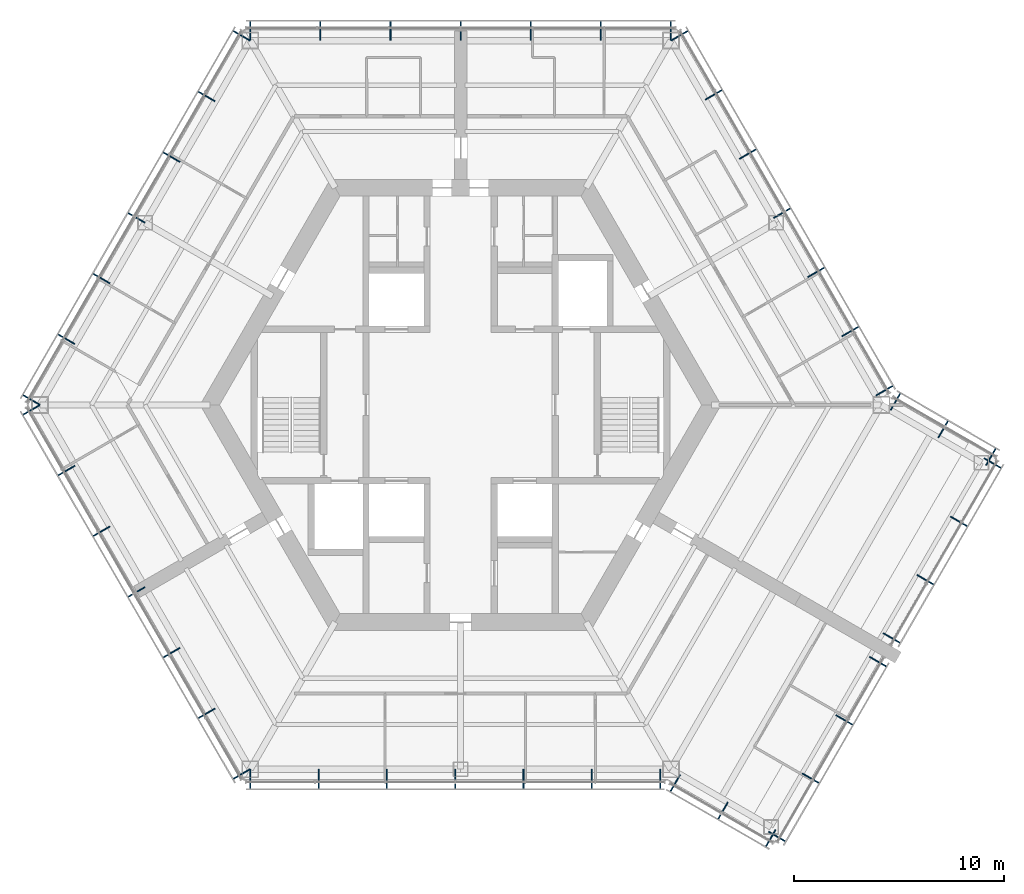
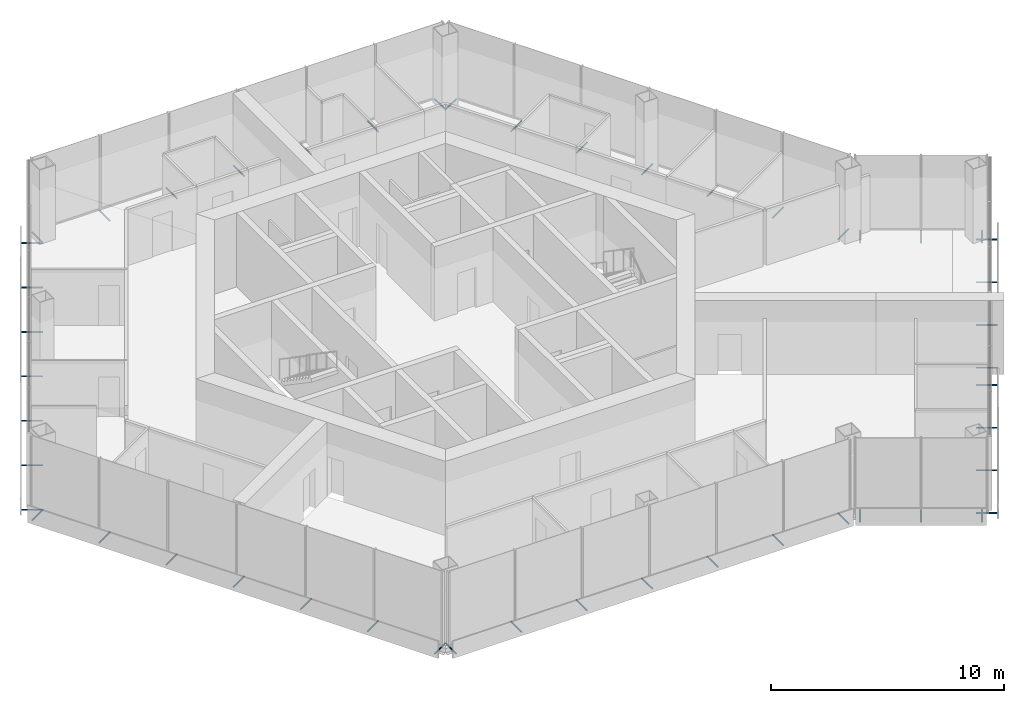
# One storey, part 11 of 13: 49 discrete accessories.
"""IFC4 building model written with IfcOpenShell, lengths in metres."""

from ifc_helpers import new_model, si_unit, direction, frame, origin, origin_2d, place, context, subcontext, project, spatial, hollow_circle, extrude, material, material_profile, profile_set, type_object, element, save


model = new_model("IFC4")

# Units and contexts
model_context = context("Model", 3, precision=1e-05, world=origin(), true_north=direction((0.0, 1.0)))
body_context = subcontext(model_context, "Body", "Model", "MODEL_VIEW")
ifc_project = project(units=[si_unit("LENGTHUNIT", "METRE"), si_unit("AREAUNIT", "SQUARE_METRE"), si_unit("VOLUMEUNIT", "CUBIC_METRE"), si_unit("PLANEANGLEUNIT", "RADIAN"), si_unit("MASSUNIT", "GRAM", prefix="KILO")], contexts=[model_context])

# Site, building, storey
site_placement = place(None, origin())
site = spatial("IfcSite", under=ifc_project, at=site_placement, CompositionType="ELEMENT")
building_placement = place(site_placement, origin())
building = spatial("IfcBuilding", under=site, at=building_placement, Name="Kasaneha Research Tower", CompositionType="ELEMENT")
storey_placement = place(building_placement, frame((0.0, 0.0, 271.300048828125)))
storey = spatial("IfcBuildingStorey", under=building, at=storey_placement, Name="L68", CompositionType="ELEMENT", Elevation=271.300048828125)

# Discrete accessories
ifc_material = material(Name="Steel STK400", Category="steel")
ifc_material_profile = material_profile(ifc_material, hollow_circle(Radius=0.0380859375, WallThickness=0.00390625, at=origin_2d()), Name="CHS-76.3x4.0")
ifc_profile_set = profile_set([ifc_material_profile], Name="Steel STK400")
discrete_accessory_type = type_object("IfcDiscreteAccessoryType", Name="Screen bracket CHS-76.3x4.0", PredefinedType="BRACKET", material=ifc_profile_set)
for number, where, z_axis, x_axis, name in (
    (1, (19.74462890625, 0.4423828125, -0.300048828125), (0.866013213425, 0.500021113727, 0.0), (-0.500021113727, 0.866013213425, 0.0), "Screen bracket 1"),
    (2, (18.120849609375, 3.2548828125, -0.300048828125), (0.866013213425, 0.500021113727, 0.0), (-0.500021113727, 0.866013213425, 0.0), "Screen bracket 2"),
    (3, (16.4970703125, 6.0673828125, -0.300048828125), (0.866013213425, 0.500021113727, 0.0), (-0.500021113727, 0.866013213425, 0.0), "Screen bracket 3"),
    (4, (14.873291015625, 8.8798828125, -0.300048828125), (0.866013213425, 0.500021113727, 0.0), (-0.500021113727, 0.866013213425, 0.0), "Screen bracket 4"),
    (5, (13.24951171875, 11.6923828125, -0.300048828125), (0.866013213425, 0.500021113727, 0.0), (-0.500021113727, 0.866013213425, 0.0), "Screen bracket 5"),
):
    element("IfcDiscreteAccessory", number, at=place(storey_placement, frame(where, z_axis=z_axis, x_axis=x_axis)), inside=storey, type_object=discrete_accessory_type, Name=name, PredefinedType="BRACKET", context=body_context, shape_type="SweptSolid", body=[
        extrude(hollow_circle(Radius=0.0380859375, WallThickness=0.00390625, at=origin_2d()), origin(), (0.0, 0.0, 1.0), 0.919921875),
    ])
for number, where, z_axis, x_axis, name in (
    (6, (11.62548828125, 14.5048828125, -0.300048828125), (0.866079547155, 0.499906209203, 0.0), (-0.499906209203, 0.866079547155, 0.0), "Screen bracket 6"),
    (7, (10.001708984375, 17.3173828125, -0.300048828125), (0.866079547155, 0.499906209203, 0.0), (-0.499906209203, 0.866079547155, 0.0), "Screen bracket 7"),
):
    element("IfcDiscreteAccessory", number, at=place(storey_placement, frame(where, z_axis=z_axis, x_axis=x_axis)), inside=storey, type_object=discrete_accessory_type, Name=name, PredefinedType="BRACKET", context=body_context, shape_type="SweptSolid", body=[
        extrude(hollow_circle(Radius=0.0380859375, WallThickness=0.00390625, at=origin_2d()), origin(), (0.0, 0.0, 1.0), 0.920166015625),
    ])
for number, where, z_axis, x_axis, name in (
    (8, (9.996337890625, 17.320556640625, -0.300048828125), (0.0, 1.0, 0.0), (-1.0, 0.0, 0.0), "Screen bracket 1"),
    (9, (6.664306640625, 17.320556640625, -0.300048828125), (0.0, 1.0, 0.0), (-1.0, 0.0, 0.0), "Screen bracket 2"),
    (10, (3.33203125, 17.320556640625, -0.300048828125), (0.0, 1.0, 0.0), (-1.0, 0.0, 0.0), "Screen bracket 3"),
    (11, (0.0, 17.320556640625, -0.300048828125), (0.0, 1.0, 0.0), (-1.0, 0.0, 0.0), "Screen bracket 4"),
    (12, (-3.33203125, 17.320556640625, -0.300048828125), (0.0, 1.0, 0.0), (-1.0, 0.0, 0.0), "Screen bracket 5"),
    (13, (-6.664306640625, 17.320556640625, -0.300048828125), (0.0, 1.0, 0.0), (-1.0, 0.0, 0.0), "Screen bracket 6"),
    (14, (-9.996337890625, 17.320556640625, -0.300048828125), (0.0, 1.0, 0.0), (-1.0, 0.0, 0.0), "Screen bracket 7"),
):
    element("IfcDiscreteAccessory", number, at=place(storey_placement, frame(where, z_axis=z_axis, x_axis=x_axis)), inside=storey, type_object=discrete_accessory_type, Name=name, PredefinedType="BRACKET", context=body_context, shape_type="SweptSolid", body=[
        extrude(hollow_circle(Radius=0.0380859375, WallThickness=0.00390625, at=origin_2d()), origin(), (0.0, 0.0, 1.0), 0.919921875),
    ])
discrete_accessory_1_placement = place(storey_placement, frame((-10.001708984375, 17.3173828125, -0.300048828125), z_axis=(-0.866079547155, 0.499906209203, 0.0), x_axis=(-0.499906209203, -0.866079547155, 0.0)))
element("IfcDiscreteAccessory", 15, at=discrete_accessory_1_placement, inside=storey, type_object=discrete_accessory_type, Name="Screen bracket 1", PredefinedType="BRACKET", context=body_context, shape_type="SweptSolid", body=[
    extrude(hollow_circle(Radius=0.0380859375, WallThickness=0.00390625, at=origin_2d()), origin(), (0.0, 0.0, 1.0), 0.920166015625),
])
for number, where, z_axis, x_axis, name in (
    (16, (-11.66796875, 14.431640625, -0.300048828125), (-0.866013213425, 0.500021113727, 0.0), (-0.500021113727, -0.866013213425, 0.0), "Screen bracket 2"),
    (17, (-13.333984375, 11.5458984375, -0.300048828125), (-0.866013213425, 0.500021113727, 0.0), (-0.500021113727, -0.866013213425, 0.0), "Screen bracket 3"),
    (18, (-15.0, 8.66015625, -0.300048828125), (-0.865898279276, 0.500220121494, 0.0), (-0.500220121494, -0.865898279276, 0.0), "Screen bracket 4"),
):
    element("IfcDiscreteAccessory", number, at=place(storey_placement, frame(where, z_axis=z_axis, x_axis=x_axis)), inside=storey, type_object=discrete_accessory_type, Name=name, PredefinedType="BRACKET", context=body_context, shape_type="SweptSolid", body=[
        extrude(hollow_circle(Radius=0.0380859375, WallThickness=0.00390625, at=origin_2d()), origin(), (0.0, 0.0, 1.0), 0.919921875),
    ])
for number, where, z_axis, x_axis, name in (
    (19, (-16.666015625, 5.774658203125, -0.300048828125), (-0.866079547155, 0.499906209203, 0.0), (-0.499906209203, -0.866079547155, 0.0), "Screen bracket 5"),
    (20, (-18.33203125, 2.888916015625, -0.300048828125), (-0.866079547155, 0.499906209203, 0.0), (-0.499906209203, -0.866079547155, 0.0), "Screen bracket 6"),
):
    element("IfcDiscreteAccessory", number, at=place(storey_placement, frame(where, z_axis=z_axis, x_axis=x_axis)), inside=storey, type_object=discrete_accessory_type, Name=name, PredefinedType="BRACKET", context=body_context, shape_type="SweptSolid", body=[
        extrude(hollow_circle(Radius=0.0380859375, WallThickness=0.00390625, at=origin_2d()), origin(), (0.0, 0.0, 1.0), 0.920166015625),
    ])
for number, where, z_axis, x_axis, name in (
    (21, (-19.998291015625, 0.003173828125, -0.300048828125), (-0.866013213425, 0.500021113727, 0.0), (-0.500021113727, -0.866013213425, 0.0), "Screen bracket 7"),
    (22, (-19.998291015625, -0.003173828125, -0.300048828125), (-0.866013213425, -0.500021113727, 0.0), (0.500021113727, -0.866013213425, 0.0), "Screen bracket 1"),
):
    element("IfcDiscreteAccessory", number, at=place(storey_placement, frame(where, z_axis=z_axis, x_axis=x_axis)), inside=storey, type_object=discrete_accessory_type, Name=name, PredefinedType="BRACKET", context=body_context, shape_type="SweptSolid", body=[
        extrude(hollow_circle(Radius=0.0380859375, WallThickness=0.00390625, at=origin_2d()), origin(), (0.0, 0.0, 1.0), 0.919921875),
    ])
for number, where, z_axis, x_axis, name in (
    (23, (-18.33203125, -2.888916015625, -0.300048828125), (-0.866079547155, -0.499906209203, 0.0), (0.499906209203, -0.866079547155, 0.0), "Screen bracket 2"),
    (24, (-16.666015625, -5.774658203125, -0.300048828125), (-0.866079547155, -0.499906209203, 0.0), (0.499906209203, -0.866079547155, 0.0), "Screen bracket 3"),
):
    element("IfcDiscreteAccessory", number, at=place(storey_placement, frame(where, z_axis=z_axis, x_axis=x_axis)), inside=storey, type_object=discrete_accessory_type, Name=name, PredefinedType="BRACKET", context=body_context, shape_type="SweptSolid", body=[
        extrude(hollow_circle(Radius=0.0380859375, WallThickness=0.00390625, at=origin_2d()), origin(), (0.0, 0.0, 1.0), 0.920166015625),
    ])
for number, where, z_axis, x_axis, name in (
    (25, (-15.0, -8.66015625, -0.300048828125), (-0.865898279276, -0.500220121494, 0.0), (0.500220121494, -0.865898279276, 0.0), "Screen bracket 4"),
    (26, (-13.333984375, -11.5458984375, -0.300048828125), (-0.866013213425, -0.500021113727, 0.0), (0.500021113727, -0.866013213425, 0.0), "Screen bracket 5"),
    (27, (-11.66796875, -14.431640625, -0.300048828125), (-0.866013213425, -0.500021113727, 0.0), (0.500021113727, -0.866013213425, 0.0), "Screen bracket 6"),
):
    element("IfcDiscreteAccessory", number, at=place(storey_placement, frame(where, z_axis=z_axis, x_axis=x_axis)), inside=storey, type_object=discrete_accessory_type, Name=name, PredefinedType="BRACKET", context=body_context, shape_type="SweptSolid", body=[
        extrude(hollow_circle(Radius=0.0380859375, WallThickness=0.00390625, at=origin_2d()), origin(), (0.0, 0.0, 1.0), 0.919921875),
    ])
discrete_accessory_2_placement = place(storey_placement, frame((-10.001708984375, -17.3173828125, -0.300048828125), z_axis=(-0.866079547155, -0.499906209203, 0.0), x_axis=(0.499906209203, -0.866079547155, 0.0)))
element("IfcDiscreteAccessory", 28, at=discrete_accessory_2_placement, inside=storey, type_object=discrete_accessory_type, Name="Screen bracket 7", PredefinedType="BRACKET", context=body_context, shape_type="SweptSolid", body=[
    extrude(hollow_circle(Radius=0.0380859375, WallThickness=0.00390625, at=origin_2d()), origin(), (0.0, 0.0, 1.0), 0.920166015625),
])
for number, where, z_axis, x_axis, name in (
    (29, (-9.996337890625, -17.320556640625, -0.300048828125), (0.0, -1.0, 0.0), (1.0, 0.0, 0.0), "Screen bracket 1"),
    (30, (-6.748779296875, -17.320556640625, -0.300048828125), (0.0, -1.0, 0.0), (1.0, 0.0, 0.0), "Screen bracket 2"),
    (31, (-3.501220703125, -17.320556640625, -0.300048828125), (0.0, -1.0, 0.0), (1.0, 0.0, 0.0), "Screen bracket 3"),
    (32, (-0.253662109375, -17.320556640625, -0.300048828125), (0.0, -1.0, 0.0), (1.0, 0.0, 0.0), "Screen bracket 4"),
    (33, (2.993896484375, -17.320556640625, -0.300048828125), (0.0, -1.0, 0.0), (1.0, 0.0, 0.0), "Screen bracket 5"),
    (34, (6.24169921875, -17.320556640625, -0.300048828125), (0.0, -1.0, 0.0), (1.0, 0.0, 0.0), "Screen bracket 6"),
    (35, (9.4892578125, -17.320556640625, -0.300048828125), (0.0, -1.0, 0.0), (1.0, 0.0, 0.0), "Screen bracket 7"),
    (36, (10.4423828125, -17.575927734375, -0.300048828125), (-0.500021113727, -0.866013213425, 0.0), (0.866013213425, -0.500021113727, 0.0), "Screen bracket 1"),
    (37, (12.7109375, -18.8857421875, -0.300048828125), (-0.500021113727, -0.866013213425, 0.0), (0.866013213425, -0.500021113727, 0.0), "Screen bracket 2"),
    (38, (14.979736328125, -20.195556640625, -0.300048828125), (-0.500220121494, -0.865898279276, 0.0), (0.865898279276, -0.500220121494, 0.0), "Screen bracket 3"),
    (39, (14.63818359375, -20.287109375, -0.300048828125), (0.866013213425, -0.500021113727, 0.0), (0.500021113727, 0.866013213425, 0.0), "Screen bracket 1"),
):
    element("IfcDiscreteAccessory", number, at=place(storey_placement, frame(where, z_axis=z_axis, x_axis=x_axis)), inside=storey, type_object=discrete_accessory_type, Name=name, PredefinedType="BRACKET", context=body_context, shape_type="SweptSolid", body=[
        extrude(hollow_circle(Radius=0.0380859375, WallThickness=0.00390625, at=origin_2d()), origin(), (0.0, 0.0, 1.0), 0.919921875),
    ])
discrete_accessory_3_placement = place(storey_placement, frame((16.238037109375, -17.515625, -0.300048828125), z_axis=(0.865964657013, -0.500105201737, 0.0), x_axis=(0.500105201737, 0.865964657013, 0.0)))
element("IfcDiscreteAccessory", 40, at=discrete_accessory_3_placement, inside=storey, type_object=discrete_accessory_type, Name="Screen bracket 2", PredefinedType="BRACKET", context=body_context, shape_type="SweptSolid", body=[
    extrude(hollow_circle(Radius=0.0380859375, WallThickness=0.00390625, at=origin_2d()), origin(), (0.0, 0.0, 1.0), 0.920166015625),
])
for number, where, z_axis, x_axis, name in (
    (41, (17.838134765625, -14.744384765625, -0.300048828125), (0.866013213425, -0.500021113727, 0.0), (0.500021113727, 0.866013213425, 0.0), "Screen bracket 3"),
    (42, (19.438232421875, -11.97314453125, -0.300048828125), (0.866013213425, -0.500021113727, 0.0), (0.500021113727, 0.866013213425, 0.0), "Screen bracket 4"),
    (43, (20.088134765625, -10.847412109375, -0.300048828125), (0.866013213425, -0.500021113727, 0.0), (0.500021113727, 0.866013213425, 0.0), "Screen bracket 1"),
    (44, (21.688232421875, -8.076171875, -0.300048828125), (0.866013213425, -0.500021113727, 0.0), (0.500021113727, 0.866013213425, 0.0), "Screen bracket 2"),
):
    element("IfcDiscreteAccessory", number, at=place(storey_placement, frame(where, z_axis=z_axis, x_axis=x_axis)), inside=storey, type_object=discrete_accessory_type, Name=name, PredefinedType="BRACKET", context=body_context, shape_type="SweptSolid", body=[
        extrude(hollow_circle(Radius=0.0380859375, WallThickness=0.00390625, at=origin_2d()), origin(), (0.0, 0.0, 1.0), 0.919921875),
    ])
discrete_accessory_4_placement = place(storey_placement, frame((23.2880859375, -5.3046875, -0.300048828125), z_axis=(0.865964657013, -0.500105201737, 0.0), x_axis=(0.500105201737, 0.865964657013, 0.0)))
element("IfcDiscreteAccessory", 45, at=discrete_accessory_4_placement, inside=storey, type_object=discrete_accessory_type, Name="Screen bracket 3", PredefinedType="BRACKET", context=body_context, shape_type="SweptSolid", body=[
    extrude(hollow_circle(Radius=0.0380859375, WallThickness=0.00390625, at=origin_2d()), origin(), (0.0, 0.0, 1.0), 0.920166015625),
])
for number, where, z_axis, x_axis, name in (
    (46, (24.88818359375, -2.533447265625, -0.300048828125), (0.866013213425, -0.500021113727, 0.0), (0.500021113727, 0.866013213425, 0.0), "Screen bracket 4"),
    (47, (24.979736328125, -2.875, -0.300048828125), (0.500021113727, 0.866013213425, 0.0), (-0.866013213425, 0.500021113727, 0.0), "Screen bracket 1"),
    (48, (22.7109375, -1.565185546875, -0.300048828125), (0.500021113727, 0.866013213425, 0.0), (-0.866013213425, 0.500021113727, 0.0), "Screen bracket 2"),
    (49, (20.4423828125, -0.25537109375, -0.300048828125), (0.500021113727, 0.866013213425, 0.0), (-0.866013213425, 0.500021113727, 0.0), "Screen bracket 3"),
):
    element("IfcDiscreteAccessory", number, at=place(storey_placement, frame(where, z_axis=z_axis, x_axis=x_axis)), inside=storey, type_object=discrete_accessory_type, Name=name, PredefinedType="BRACKET", context=body_context, shape_type="SweptSolid", body=[
        extrude(hollow_circle(Radius=0.0380859375, WallThickness=0.00390625, at=origin_2d()), origin(), (0.0, 0.0, 1.0), 0.919921875),
    ])

save(model, "model.ifc")
